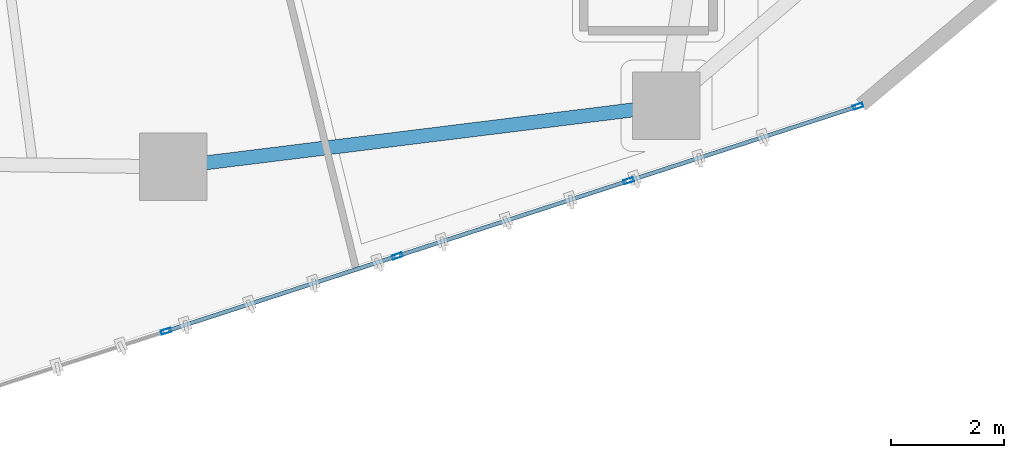
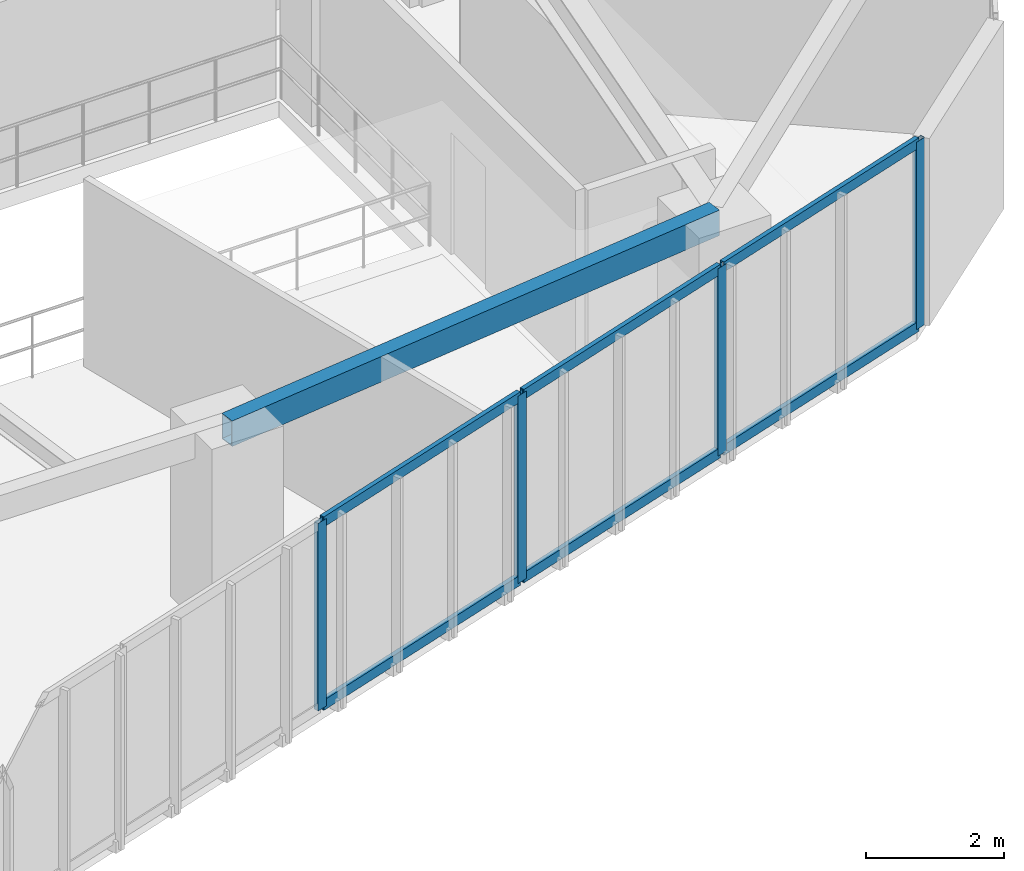
# One storey, part 5 of 21: 10 members, 1 beam, 1 element without a shape of its own.
"""IFC4 building model written with IfcOpenShell, lengths in metres."""

from ifc_helpers import new_model, si_unit, direction, frame, origin, origin_2d, place, context, subcontext, project, spatial, hollow_rectangle, extrude, source, transform, mapped, material, layer, layer_set, material_profile, profile_set, type_object, type_shapes, element, aggregate, save


model = new_model("IFC4")

# Units and contexts
model_context = context("Model", 3, precision=1e-05, world=origin(), true_north=direction((0.0, 1.0)))
body_context = subcontext(model_context, "Body", "Model", "MODEL_VIEW")
ifc_project = project(units=[si_unit("LENGTHUNIT", "METRE"), si_unit("AREAUNIT", "SQUARE_METRE"), si_unit("VOLUMEUNIT", "CUBIC_METRE"), si_unit("PLANEANGLEUNIT", "RADIAN"), si_unit("MASSUNIT", "GRAM", prefix="KILO")], contexts=[model_context])

# Site, building, storey
site_placement = place(None, origin())
site = spatial("IfcSite", under=ifc_project, at=site_placement, CompositionType="ELEMENT")
building_placement = place(site_placement, origin())
building = spatial("IfcBuilding", under=site, at=building_placement, Name="Talar Marvaseh", CompositionType="ELEMENT")
storey_placement = place(building_placement, frame((0.0, 0.0, 143.39990234375)))
storey = spatial("IfcBuildingStorey", under=building, at=storey_placement, Name="L37", CompositionType="ELEMENT", Elevation=143.39990234375)

# Beam
ifc_material_1 = material(Name="Steel S355", Category="steel")
ifc_material_profile_1 = material_profile(ifc_material_1, hollow_rectangle(XDim=0.25, YDim=0.449951171875, WallThickness=0.01611328125, at=origin_2d()), Name="RHS450x250x16")
ifc_profile_set_1 = profile_set([ifc_material_profile_1], Name="Steel S355")
beam_type = type_object("IfcBeamType", Name="Zone 2 Perimeter Spandrel Beam RHS450x250x16", PredefinedType="SPANDREL", material=ifc_profile_set_1)
beam_placement = place(storey_placement, frame((31.570068359375, 14.26806640625, 3.085205078125), z_axis=(-0.992426007218, -0.122843885468, 0.0), x_axis=(0.122843885468, -0.992426007218, 0.0)))
element("IfcBeam", 1, at=beam_placement, inside=storey, type_object=beam_type, Name="L37 Zone 2 Perimeter Spandrel Beam RHS450x250x16", PredefinedType="SPANDREL", context=body_context, shape_type="SweptSolid", body=[
    extrude(hollow_rectangle(XDim=0.25, YDim=0.449951171875, WallThickness=0.01611328125, at=origin_2d()), origin(), (0.0, 0.0, 1.0), 8.83203125),
])

# Curtain wall, members
ifc_material_2 = material(Name="Architectural Aluminium", Category="aluminium")
ifc_layer = layer(ifc_material_2, 0.199951171875)
ifc_layer_set = layer_set([ifc_layer], Name="Architectural Aluminium")
curtain_wall_type = type_object("IfcCurtainWallType", Name="Unitised Acoustic Library Curtain Wall Z2", PredefinedType="NOTDEFINED", material=ifc_layer_set)
curtain_wall_placement = place(storey_placement, origin())
curtain_wall = element("IfcCurtainWall", 2, at=curtain_wall_placement, inside=storey, type_object=curtain_wall_type, Name="L37 Unitised Acoustic Library Curtain Wall Z2", PredefinedType="NOTDEFINED")
ifc_material_profile_2 = material_profile(ifc_material_2, hollow_rectangle(XDim=0.074951171875, YDim=0.179931640625, WallThickness=0.0048828125, at=origin_2d()), Name="RHS180x75x5")
ifc_profile_set_2 = profile_set([ifc_material_profile_2], Name="Architectural Aluminium")
member_type_1 = type_object("IfcMemberType", Name="Unitised Curtain Wall Standard Mullion RHS180x75x5", PredefinedType="MULLION", material=ifc_profile_set_2)
shared_shape_1 = source(origin(), body_context, "Body", "SweptSolid", [
    extrude(hollow_rectangle(XDim=0.074951171875, YDim=0.179931640625, WallThickness=0.0048828125, at=origin_2d()), origin(), (0.0, 0.0, 1.0), 3.31005859375),
])
type_shapes(member_type_1, [shared_shape_1])
member_1_placement = place(storey_placement, frame((34.975830078125, 14.259765625, 0.0), z_axis=(0.0, 0.0, 1.0), x_axis=(0.309163682983, -0.95100884177, 0.0)))
member_1 = element("IfcMember", 3, at=member_1_placement, type_object=member_type_1, Name="CW-Z2 mullion 1", PredefinedType="MULLION", context=body_context, shape_type="MappedRepresentation", body=[
    mapped(shared_shape_1, transform((0.0, 0.0, 0.0), x_axis=(1.0, 0.0, 0.0), y_axis=(0.0, 1.0, 0.0), z_axis=(0.0, 0.0, 1.0), scale=1.0)),
])
member_2_placement = place(storey_placement, frame((30.899658203125, 12.9345703125, 0.0), z_axis=(0.0, 0.0, 1.0), x_axis=(0.309163682983, -0.95100884177, 0.0)))
member_2 = element("IfcMember", 4, at=member_2_placement, type_object=member_type_1, Name="CW-Z2 mullion 2", PredefinedType="MULLION", context=body_context, shape_type="MappedRepresentation", body=[
    mapped(shared_shape_1, transform((0.0, 0.0, 0.0), x_axis=(1.0, 0.0, 0.0), y_axis=(0.0, 1.0, 0.0), z_axis=(0.0, 0.0, 1.0), scale=1.0)),
])
member_3_placement = place(storey_placement, frame((26.787841796875, 11.597900390625, 0.0), z_axis=(0.0, 0.0, 1.0), x_axis=(0.309163682983, -0.95100884177, 0.0)))
member_3 = element("IfcMember", 5, at=member_3_placement, type_object=member_type_1, Name="CW-Z2 mullion 3", PredefinedType="MULLION", context=body_context, shape_type="MappedRepresentation", body=[
    mapped(shared_shape_1, transform((0.0, 0.0, 0.0), x_axis=(1.0, 0.0, 0.0), y_axis=(0.0, 1.0, 0.0), z_axis=(0.0, 0.0, 1.0), scale=1.0)),
])
member_4_placement = place(storey_placement, frame((22.67626953125, 10.26123046875, 0.0), z_axis=(0.0, 0.0, 1.0), x_axis=(0.309163682983, -0.95100884177, 0.0)))
member_4 = element("IfcMember", 6, at=member_4_placement, type_object=member_type_1, Name="CW-Z2 mullion 4", PredefinedType="MULLION", context=body_context, shape_type="MappedRepresentation", body=[
    mapped(shared_shape_1, transform((0.0, 0.0, 0.0), x_axis=(1.0, 0.0, 0.0), y_axis=(0.0, 1.0, 0.0), z_axis=(0.0, 0.0, 1.0), scale=1.0)),
])
ifc_material_profile_3 = material_profile(ifc_material_2, hollow_rectangle(XDim=0.074951171875, YDim=0.179931640625, WallThickness=0.0048828125, at=origin_2d()), Name="RHS180x75x5")
ifc_profile_set_3 = profile_set([ifc_material_profile_3], Name="Architectural Aluminium")
member_type_2 = type_object("IfcMemberType", Name="Unitised Curtain Wall Transom RHS180x75x5", PredefinedType="USERDEFINED", material=ifc_profile_set_3)
shared_shape_2 = source(origin(), body_context, "Body", "SweptSolid", [
    extrude(hollow_rectangle(XDim=0.074951171875, YDim=0.179931640625, WallThickness=0.0048828125, at=origin_2d()), origin(), (0.0, 0.0, 1.0), 4.211181640625),
])
member_5_placement = place(storey_placement, frame((34.940185546875, 14.248046875, 0.03759765625), z_axis=(-0.951022138738, -0.3091227776, 0.0), x_axis=(0.3091227776, -0.951022138738, 0.0)))
member_5 = element("IfcMember", 7, at=member_5_placement, type_object=member_type_2, Name="CW-Z2 transom 1.1", ObjectType="TRANSOM", PredefinedType="USERDEFINED", context=body_context, shape_type="MappedRepresentation", body=[
    mapped(shared_shape_2, transform((0.0, 0.0, 0.0), x_axis=(1.0, 0.0, 0.0), y_axis=(0.0, 1.0, 0.0), z_axis=(0.0, 0.0, 1.0), scale=1.0)),
])
member_6_placement = place(storey_placement, frame((34.940185546875, 14.248046875, 3.272705078125), z_axis=(-0.951022138738, -0.3091227776, 0.0), x_axis=(0.3091227776, -0.951022138738, 0.0)))
member_6 = element("IfcMember", 8, at=member_6_placement, type_object=member_type_2, Name="CW-Z2 transom 1.2", ObjectType="TRANSOM", PredefinedType="USERDEFINED", context=body_context, shape_type="MappedRepresentation", body=[
    mapped(shared_shape_2, transform((0.0, 0.0, 0.0), x_axis=(1.0, 0.0, 0.0), y_axis=(0.0, 1.0, 0.0), z_axis=(0.0, 0.0, 1.0), scale=1.0)),
])
shared_shape_3 = source(origin(), body_context, "Body", "SweptSolid", [
    extrude(hollow_rectangle(XDim=0.074951171875, YDim=0.179931640625, WallThickness=0.0048828125, at=origin_2d()), origin(), (0.0, 0.0, 1.0), 4.24853515625),
])
type_shapes(member_type_2, [shared_shape_2, shared_shape_3])
member_7_placement = place(storey_placement, frame((30.864013671875, 12.923095703125, 0.03759765625), z_axis=(-0.951007459903, -0.309167933668, 0.0), x_axis=(0.309167933668, -0.951007459903, 0.0)))
member_7 = element("IfcMember", 9, at=member_7_placement, type_object=member_type_2, Name="CW-Z2 transom 2.1", ObjectType="TRANSOM", PredefinedType="USERDEFINED", context=body_context, shape_type="MappedRepresentation", body=[
    mapped(shared_shape_3, transform((0.0, 0.0, 0.0), x_axis=(1.0, 0.0, 0.0), y_axis=(0.0, 1.0, 0.0), z_axis=(0.0, 0.0, 1.0), scale=1.0)),
])
member_8_placement = place(storey_placement, frame((30.864013671875, 12.923095703125, 3.272705078125), z_axis=(-0.951007459903, -0.309167933668, 0.0), x_axis=(0.309167933668, -0.951007459903, 0.0)))
member_8 = element("IfcMember", 10, at=member_8_placement, type_object=member_type_2, Name="CW-Z2 transom 2.2", ObjectType="TRANSOM", PredefinedType="USERDEFINED", context=body_context, shape_type="MappedRepresentation", body=[
    mapped(shared_shape_3, transform((0.0, 0.0, 0.0), x_axis=(1.0, 0.0, 0.0), y_axis=(0.0, 1.0, 0.0), z_axis=(0.0, 0.0, 1.0), scale=1.0)),
])
member_9_placement = place(storey_placement, frame((26.752197265625, 11.58642578125, 0.03759765625), z_axis=(-0.951007459903, -0.309167933668, 0.0), x_axis=(0.309167933668, -0.951007459903, 0.0)))
member_9 = element("IfcMember", 11, at=member_9_placement, type_object=member_type_2, Name="CW-Z2 transom 3.1", ObjectType="TRANSOM", PredefinedType="USERDEFINED", context=body_context, shape_type="MappedRepresentation", body=[
    mapped(shared_shape_3, transform((0.0, 0.0, 0.0), x_axis=(1.0, 0.0, 0.0), y_axis=(0.0, 1.0, 0.0), z_axis=(0.0, 0.0, 1.0), scale=1.0)),
])
member_10_placement = place(storey_placement, frame((26.752197265625, 11.58642578125, 3.272705078125), z_axis=(-0.951007459903, -0.309167933668, 0.0), x_axis=(0.309167933668, -0.951007459903, 0.0)))
member_10 = element("IfcMember", 12, at=member_10_placement, type_object=member_type_2, Name="CW-Z2 transom 3.2", ObjectType="TRANSOM", PredefinedType="USERDEFINED", context=body_context, shape_type="MappedRepresentation", body=[
    mapped(shared_shape_3, transform((0.0, 0.0, 0.0), x_axis=(1.0, 0.0, 0.0), y_axis=(0.0, 1.0, 0.0), z_axis=(0.0, 0.0, 1.0), scale=1.0)),
])
aggregate(curtain_wall, [member_1, member_2, member_3, member_4, member_5, member_6, member_7, member_8, member_9, member_10])

save(model, "model.ifc")
